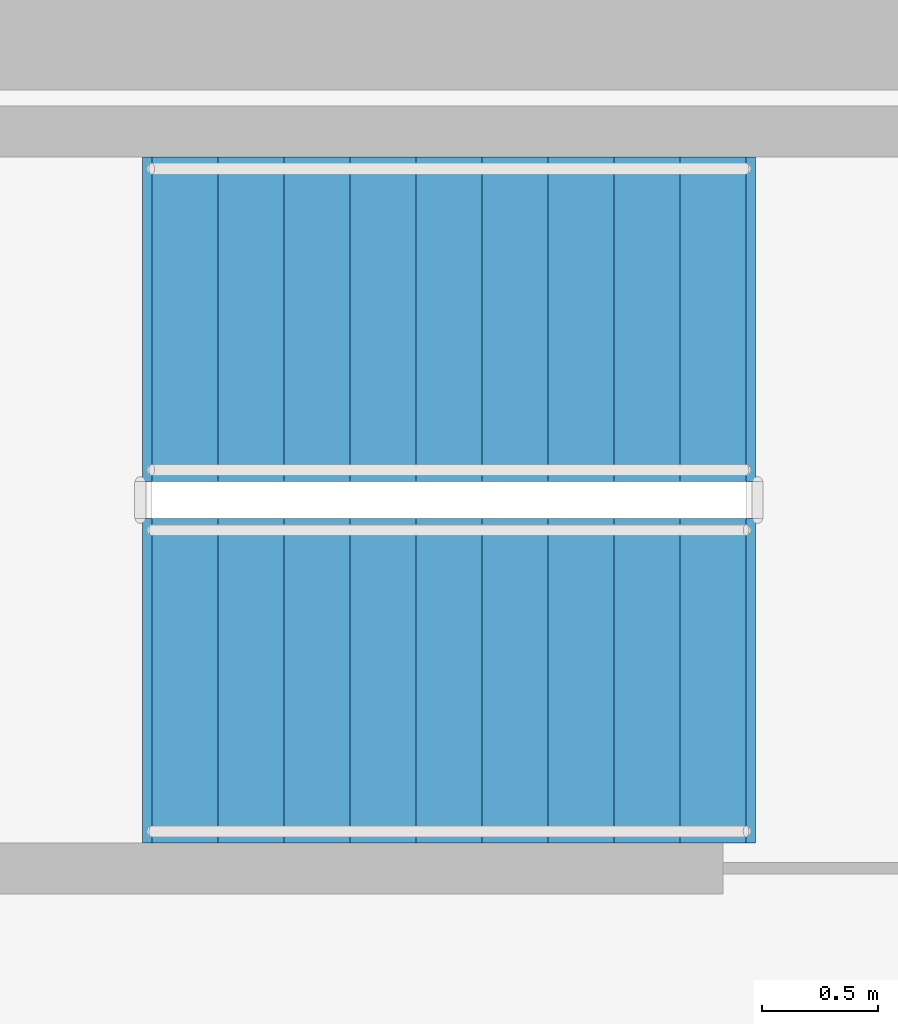
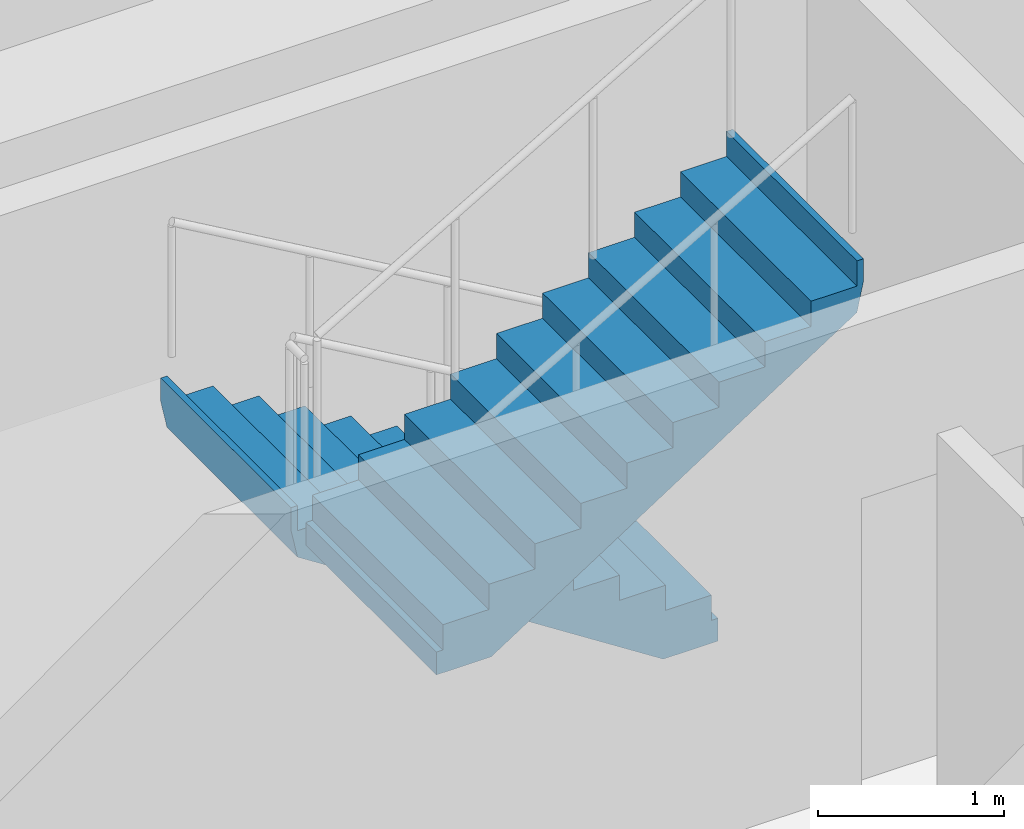
# One storey, part 12 of 13: 2 stair flights, 1 element without a shape of its own.
"""IFC4 building model written with IfcOpenShell, lengths in metres."""

from ifc_helpers import new_model, si_unit, direction, frame, origin, place, context, subcontext, project, spatial, polyline, outline, extrude, material, type_object, element, aggregate, save


model = new_model("IFC4")

# Units and contexts
model_context = context("Model", 3, precision=1e-05, world=origin(), true_north=direction((0.0, 1.0)))
body_context = subcontext(model_context, "Body", "Model", "MODEL_VIEW")
ifc_project = project(units=[si_unit("LENGTHUNIT", "METRE"), si_unit("AREAUNIT", "SQUARE_METRE"), si_unit("VOLUMEUNIT", "CUBIC_METRE"), si_unit("PLANEANGLEUNIT", "RADIAN"), si_unit("MASSUNIT", "GRAM", prefix="KILO")], contexts=[model_context])

# Site, building, storey
site_placement = place(None, origin())
site = spatial("IfcSite", under=ifc_project, at=site_placement, CompositionType="ELEMENT")
building_placement = place(site_placement, origin())
building = spatial("IfcBuilding", under=site, at=building_placement, Name="Durnholm Broadcast Tower", CompositionType="ELEMENT")
storey_placement = place(building_placement, frame((0.0, 0.0, 100.800048828125)))
storey = spatial("IfcBuildingStorey", under=building, at=storey_placement, Name="L26", CompositionType="ELEMENT", Elevation=100.800048828125)

# Stair, stair flights
ifc_material = material(Name="Concrete C50/60", Category="concrete")
stair_type = type_object("IfcStairType", Name="STAIR-DL-20R1650", PredefinedType="HALF_TURN_STAIR", material=ifc_material)
stair_placement = place(storey_placement, origin())
stair = element("IfcStair", 1, at=stair_placement, inside=storey, type_object=stair_type, Name="L26 ST-3", PredefinedType="HALF_TURN_STAIR")
stair_flight_type = type_object("IfcStairFlightType", Name="FLIGHT-DL-20R1650", PredefinedType="STRAIGHT", material=ifc_material)
stair_flight_1_placement = place(storey_placement, frame((0.699951171875, 6.860107421875, 0.0), z_axis=(0.0, 0.0, 1.0), x_axis=(-1.0, 0.0, 0.0)))
stair_flight_1 = element("IfcStairFlight", 2, at=stair_flight_1_placement, type_object=stair_flight_type, Name="ST-3 flight 1", NumberOfRisers=10, NumberOfTreads=9, PredefinedType="STRAIGHT", RiserHeight=0.165, TreadLength=0.285, context=body_context, shape_type="SweptSolid", body=[
    extrude(outline(polyline([(-0.0400390625, -0.14990234375), (-0.0400390625, 0.0), (0.0, 0.0), (0.0, 0.1650390625), (0.284912109375, 0.1650390625), (0.284912109375, 0.330078125), (0.570068359375, 0.330078125), (0.570068359375, 0.4951171875), (0.85498046875, 0.4951171875), (0.85498046875, 0.659912109375), (1.139892578125, 0.659912109375), (1.139892578125, 0.824951171875), (1.425048828125, 0.824951171875), (1.425048828125, 0.989990234375), (1.7099609375, 0.989990234375), (1.7099609375, 1.155029296875), (1.9951171875, 1.155029296875), (1.9951171875, 1.320068359375), (2.280029296875, 1.320068359375), (2.280029296875, 1.485107421875), (2.56494140625, 1.485107421875), (2.56494140625, 1.64990234375), (2.60498046875, 1.64990234375), (2.60498046875, 1.5), (2.56494140625, 1.311767578125), (0.299072265625, -0.14990234375), (-0.0400390625, -0.14990234375)])), frame((0.0, 0.699951171875, 0.0), z_axis=(0.0, -1.0, 0.0), x_axis=(1.0, 0.0, 0.0)), (0.0, 0.0, 1.0), 1.39990234375),
])
stair_flight_2_placement = place(storey_placement, frame((-1.864990234375, 5.300048828125, 1.64990234375), z_axis=(0.0, 0.0, 1.0), x_axis=(1.0, 0.0, 0.0)))
stair_flight_2 = element("IfcStairFlight", 3, at=stair_flight_2_placement, type_object=stair_flight_type, Name="ST-3 flight 2", NumberOfRisers=10, NumberOfTreads=9, PredefinedType="STRAIGHT", RiserHeight=0.165, TreadLength=0.285, context=body_context, shape_type="SweptSolid", body=[
    extrude(outline(polyline([(-0.0400390625, -0.14990234375), (-0.0400390625, 0.0), (0.0, 0.0), (0.0, 0.1650390625), (0.284912109375, 0.1650390625), (0.284912109375, 0.330078125), (0.570068359375, 0.330078125), (0.570068359375, 0.4951171875), (0.85498046875, 0.4951171875), (0.85498046875, 0.659912109375), (1.139892578125, 0.659912109375), (1.139892578125, 0.824951171875), (1.425048828125, 0.824951171875), (1.425048828125, 0.989990234375), (1.7099609375, 0.989990234375), (1.7099609375, 1.155029296875), (1.9951171875, 1.155029296875), (1.9951171875, 1.320068359375), (2.280029296875, 1.320068359375), (2.280029296875, 1.485107421875), (2.56494140625, 1.485107421875), (2.56494140625, 1.64990234375), (2.60498046875, 1.64990234375), (2.60498046875, 1.5), (2.56494140625, 1.311767578125), (0.299072265625, -0.14990234375), (-0.0400390625, -0.14990234375)])), frame((0.0, 0.699951171875, 0.0), z_axis=(0.0, -1.0, 0.0), x_axis=(1.0, 0.0, 0.0)), (0.0, 0.0, 1.0), 1.39990234375),
])
aggregate(stair, [stair_flight_1, stair_flight_2])

save(model, "model.ifc")
